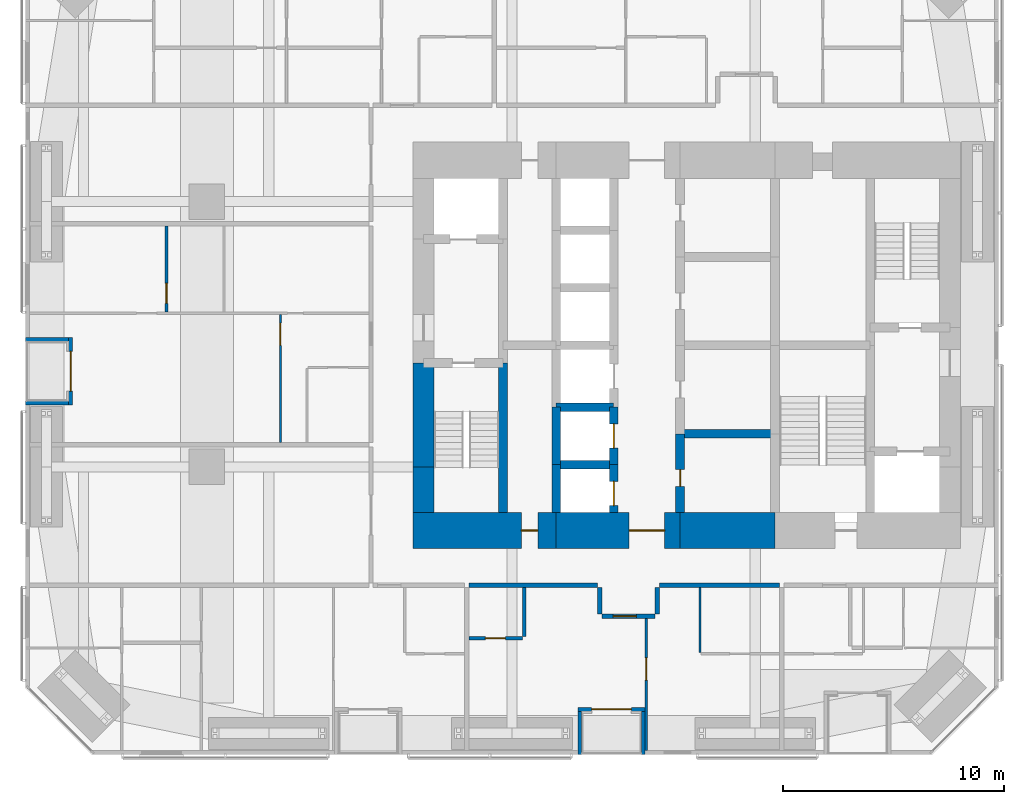
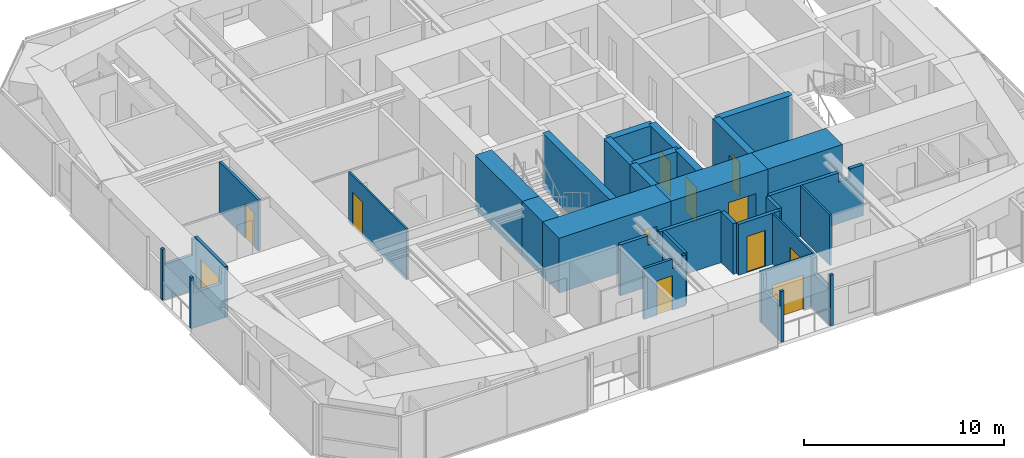
# One storey, part 17 of 23: 31 walls, 12 doors, 12 openings.
"""IFC4 building model written with IfcOpenShell, lengths in metres."""

from ifc_helpers import new_model, si_unit, direction, frame, frame_2d, origin, place, context, subcontext, project, spatial, polyline, rectangle, outline, extrude, material, layer, layer_set, constituent, constituent_set, type_object, element, fill, save


model = new_model("IFC4")

# Units and contexts
model_context = context("Model", 3, precision=1e-05, world=origin(), true_north=direction((0.0, 1.0)))
body_context = subcontext(model_context, "Body", "Model", "MODEL_VIEW")
ifc_project = project(units=[si_unit("LENGTHUNIT", "METRE"), si_unit("AREAUNIT", "SQUARE_METRE"), si_unit("VOLUMEUNIT", "CUBIC_METRE"), si_unit("PLANEANGLEUNIT", "RADIAN"), si_unit("MASSUNIT", "GRAM", prefix="KILO")], contexts=[model_context])

# Site, building, storey
site_placement = place(None, origin())
site = spatial("IfcSite", under=ifc_project, at=site_placement, CompositionType="ELEMENT")
building_placement = place(site_placement, origin())
building = spatial("IfcBuilding", under=site, at=building_placement, Name="Jalousie Tower", CompositionType="ELEMENT")
storey_placement = place(building_placement, frame((0.0, 0.0, 41.10009765625)))
storey = spatial("IfcBuildingStorey", under=building, at=storey_placement, Name="L10", CompositionType="ELEMENT", Elevation=41.10009765625)

# Wall, opening, door
ifc_material_1 = material(Name="Concrete block ASTM C90", Category="concrete")
ifc_constituent_1 = constituent(ifc_material_1, Name="Body")
ifc_material_2 = material(Name="Render")
ifc_constituent_2 = constituent(ifc_material_2, Name="Finish")
ifc_constituent_set_1 = constituent_set(constituents=[ifc_constituent_1, ifc_constituent_2])
wall_type_1 = type_object("IfcWallType", Name="BATHROOM WALL 150", PredefinedType="PLUMBINGWALL", material=ifc_constituent_set_1)
wall_1_placement = place(storey_placement, frame((22.050048828125, 5.25, 0.0), z_axis=(0.0, 0.0, 1.0), x_axis=(1.0, 0.0, 0.0)))
wall_1 = element("IfcWall", 1, at=wall_1_placement, inside=storey, type_object=wall_type_1, Name="Bathroom Wall 150 L10", PredefinedType="PLUMBINGWALL", context=body_context, shape_type="SweptSolid", body=[
    extrude(outline(polyline([(0.0, 0.0), (2.425048828125, 0.0), (2.425048828125, 3.10986328125), (2.262451171875, 3.10986328125), (2.262451171875, 2.541015625), (1.6376953125, 2.541015625), (1.6376953125, 3.10986328125), (0.0, 3.10986328125), (0.0, 0.0)])), frame((0.0, 0.074951171875, 0.0), z_axis=(0.0, -1.0, 0.0), x_axis=(1.0, 0.0, 0.0)), (0.0, 0.0, 1.0), 0.14990234375),
])
opening_1_placement = place(wall_1_placement, frame((0.75, 0.0, 0.0)))
opening_1 = element("IfcOpeningElement", 2, at=opening_1_placement, cuts=wall_1, Name="Opening D3", PredefinedType="OPENING", context=body_context, shape_type="SweptSolid", body=[
    extrude(rectangle(XDim=0.89990234375, YDim=2.10009765625, at=frame_2d((0.449951171875, 1.050048828125))), frame((0.0, 0.0849609375, 0.0), z_axis=(0.0, -1.0, 0.0), x_axis=(1.0, 0.0, 0.0)), (0.0, 0.0, 1.0), 0.169921875),
])
ifc_material_3 = material(Name="Timber door", Category="wood")
door_type_1 = type_object("IfcDoorType", Name="BATHROOM DOOR 900", OperationType="SINGLE_SWING_LEFT", PredefinedType="DOOR", material=ifc_material_3)
door_1_placement = place(opening_1_placement, origin())
door_1 = element("IfcDoor", 3, at=door_1_placement, inside=storey, type_object=door_type_1, Name="Apartment 1002 bathroom door", OperationType="SINGLE_SWING_LEFT", OverallHeight=2.10009765625, OverallWidth=0.89990234375, PredefinedType="DOOR", context=body_context, shape_type="SweptSolid", body=[
    extrude(rectangle(XDim=0.89990234375, YDim=2.10009765625, at=frame_2d((0.449951171875, 1.050048828125))), frame((0.0, 0.02490234375, 0.0), z_axis=(0.0, -1.0, 0.0), x_axis=(1.0, 0.0, 0.0)), (0.0, 0.0, 1.0), 0.050048828125),
])
fill(opening_1, door_1)

# Wall
wall_2_placement = place(storey_placement, frame((24.550048828125, 5.324951171875, 0.0), z_axis=(0.0, 0.0, 1.0), x_axis=(0.0, 1.0, 0.0)))
element("IfcWall", 4, at=wall_2_placement, inside=storey, type_object=wall_type_1, Name="Bathroom Wall 150 L10", PredefinedType="PLUMBINGWALL", context=body_context, shape_type="SweptSolid", body=[
    extrude(rectangle(XDim=2.22509765625, YDim=0.14990234375, at=frame_2d((1.112548828125, 0.0))), origin(), (0.0, 0.0, 1.0), 3.10986328125),
])

# Wall, opening, door
wall_3_placement = place(storey_placement, frame((8.375, 20.0, 0.0), z_axis=(0.0, 0.0, 1.0), x_axis=(0.0, 1.0, 0.0)))
wall_3 = element("IfcWall", 5, at=wall_3_placement, inside=storey, type_object=wall_type_1, Name="Bathroom Wall 150 L10", PredefinedType="PLUMBINGWALL", context=body_context, shape_type="SweptSolid", body=[
    extrude(rectangle(XDim=3.89990234375, YDim=0.14990234375, at=frame_2d((1.949951171875, 0.0))), origin(), (0.0, 0.0, 1.0), 3.10986328125),
])
opening_2_placement = place(wall_3_placement, frame((0.39990234375, 0.0, 0.0)))
opening_2 = element("IfcOpeningElement", 6, at=opening_2_placement, cuts=wall_3, Name="Opening D3", PredefinedType="OPENING", context=body_context, shape_type="SweptSolid", body=[
    extrude(rectangle(XDim=0.89990234375, YDim=2.10009765625, at=frame_2d((0.449951171875, 1.050048828125))), frame((0.0, 0.0849609375, 0.0), z_axis=(0.0, -1.0, 0.0), x_axis=(1.0, 0.0, 0.0)), (0.0, 0.0, 1.0), 0.169921875),
])
door_2_placement = place(opening_2_placement, frame((0.89990234375, 0.0, 0.0), z_axis=(0.0, 0.0, 1.0), x_axis=(-1.0, 0.0, 0.0)))
door_2 = element("IfcDoor", 7, at=door_2_placement, inside=storey, type_object=door_type_1, Name="Apartment 1006 bedroom 1 bathroom door", OperationType="SINGLE_SWING_RIGHT", OverallHeight=2.10009765625, OverallWidth=0.89990234375, PredefinedType="DOOR", context=body_context, shape_type="SweptSolid", body=[
    extrude(rectangle(XDim=0.89990234375, YDim=2.10009765625, at=frame_2d((0.449951171875, 1.050048828125))), frame((0.0, 0.02490234375, 0.0), z_axis=(0.0, -1.0, 0.0), x_axis=(1.0, 0.0, 0.0)), (0.0, 0.0, 1.0), 0.050048828125),
])
fill(opening_2, door_2)

ifc_material_4 = material(Name="Concrete f'c 120 MPa", Category="concrete")
ifc_layer_1 = layer(ifc_material_4, 1.64990234375)
ifc_layer_set_1 = layer_set([ifc_layer_1], Name="Concrete f'c 120 MPa")
wall_type_2 = type_object("IfcWallType", Name="CORE WALL 1650", PredefinedType="SHEAR", material=ifc_layer_set_1)
wall_4_placement = place(storey_placement, frame((19.52490234375, 10.125, 0.0), z_axis=(0.0, 0.0, 1.0), x_axis=(1.0, 0.0, 0.0)))
wall_4 = element("IfcWall", 8, at=wall_4_placement, inside=storey, type_object=wall_type_2, Name="Core wall SA L10", PredefinedType="SHEAR", context=body_context, shape_type="SweptSolid", body=[
    extrude(rectangle(XDim=6.47509765625, YDim=1.64990234375, at=frame_2d((3.237548828125, 0.0))), origin(), (0.0, 0.0, 1.0), 3.349853515625),
])
opening_3_placement = place(wall_4_placement, frame((4.89990234375, 0.0, 0.0)))
opening_3 = element("IfcOpeningElement", 9, at=opening_3_placement, cuts=wall_4, Name="Opening D16", PredefinedType="OPENING", context=body_context, shape_type="SweptSolid", body=[
    extrude(rectangle(XDim=0.75, YDim=2.10009765625, at=frame_2d((0.375, 1.050048828125))), frame((0.0, 0.8349609375, 0.0), z_axis=(0.0, -1.0, 0.0), x_axis=(1.0, 0.0, 0.0)), (0.0, 0.0, 1.0), 1.669921875),
])
ifc_material_5 = material(Name="Steel fire door", Category="steel")
door_type_2 = type_object("IfcDoorType", Name="RISER DOOR 750", OperationType="SINGLE_SWING_LEFT", PredefinedType="DOOR", material=ifc_material_5)
door_3_placement = place(opening_3_placement, origin())
door_3 = element("IfcDoor", 10, at=door_3_placement, inside=storey, type_object=door_type_2, Name="South riser door", OperationType="SINGLE_SWING_LEFT", OverallHeight=2.10009765625, OverallWidth=0.75, PredefinedType="DOOR", context=body_context, shape_type="SweptSolid", body=[
    extrude(rectangle(XDim=0.75, YDim=2.10009765625, at=frame_2d((0.375, 1.050048828125))), frame((0.0, 0.02490234375, 0.0), z_axis=(0.0, -1.0, 0.0), x_axis=(1.0, 0.0, 0.0)), (0.0, 0.0, 1.0), 0.050048828125),
])
fill(opening_3, door_3)

wall_5_placement = place(storey_placement, frame((26.0, 10.125, 0.0), z_axis=(0.0, 0.0, 1.0), x_axis=(1.0, 0.0, 0.0)))
wall_5 = element("IfcWall", 11, at=wall_5_placement, inside=storey, type_object=wall_type_2, Name="Core wall SB L10", PredefinedType="SHEAR", context=body_context, shape_type="SweptSolid", body=[
    extrude(rectangle(XDim=5.60009765625, YDim=1.64990234375, at=frame_2d((2.800048828125, 0.0))), origin(), (0.0, 0.0, 1.0), 3.349853515625),
])
opening_4_placement = place(wall_5_placement, frame((3.300048828125, 0.0, 0.0)))
opening_4 = element("IfcOpeningElement", 12, at=opening_4_placement, cuts=wall_5, Name="Opening D15", PredefinedType="OPENING", context=body_context, shape_type="SweptSolid", body=[
    extrude(rectangle(XDim=1.60009765625, YDim=2.10009765625, at=frame_2d((0.800048828125, 1.050048828125))), frame((0.0, 0.8349609375, 0.0), z_axis=(0.0, -1.0, 0.0), x_axis=(1.0, 0.0, 0.0)), (0.0, 0.0, 1.0), 1.669921875),
])
ifc_material_6 = material(Name="Steel fire door", Category="steel")
door_type_3 = type_object("IfcDoorType", Name="LIFT LOBBY DOOR 1600", OperationType="DOUBLE_DOOR_SINGLE_SWING", PredefinedType="DOOR", material=ifc_material_6)
door_4_placement = place(opening_4_placement, origin())
door_4 = element("IfcDoor", 13, at=door_4_placement, inside=storey, type_object=door_type_3, Name="Lift lobby south door", OperationType="DOUBLE_DOOR_SINGLE_SWING", OverallHeight=2.10009765625, OverallWidth=1.60009765625, PredefinedType="DOOR", context=body_context, shape_type="SweptSolid", body=[
    extrude(rectangle(XDim=1.60009765625, YDim=2.10009765625, at=frame_2d((0.800048828125, 1.050048828125))), frame((0.0, 0.02490234375, 0.0), z_axis=(0.0, -1.0, 0.0), x_axis=(1.0, 0.0, 0.0)), (0.0, 0.0, 1.0), 0.050048828125),
])
fill(opening_4, door_4)

# Walls
wall_6_placement = place(storey_placement, frame((31.60009765625, 10.125, 0.0), z_axis=(0.0, 0.0, 1.0), x_axis=(1.0, 0.0, 0.0)))
element("IfcWall", 14, at=wall_6_placement, inside=storey, type_object=wall_type_2, Name="Core wall SC L10", PredefinedType="SHEAR", context=body_context, shape_type="SweptSolid", body=[
    extrude(rectangle(XDim=4.2998046875, YDim=1.64990234375, at=frame_2d((2.14990234375, 0.0))), origin(), (0.0, 0.0, 1.0), 3.349853515625),
])
ifc_material_7 = material(Name="Concrete f'c 120 MPa", Category="concrete")
ifc_layer_2 = layer(ifc_material_7, 0.39990234375)
ifc_layer_set_2 = layer_set([ifc_layer_2], Name="Concrete f'c 120 MPa")
wall_type_3 = type_object("IfcWallType", Name="CORE WALL 400", PredefinedType="SHEAR", material=ifc_layer_set_2)
wall_7_placement = place(storey_placement, frame((23.60009765625, 10.949951171875, 0.0), z_axis=(0.0, 0.0, 1.0), x_axis=(0.0, 1.0, 0.0)))
element("IfcWall", 15, at=wall_7_placement, inside=storey, type_object=wall_type_3, Name="Core wall X23.6A L10", PredefinedType="SHEAR", context=body_context, shape_type="SweptSolid", body=[
    extrude(rectangle(XDim=6.75, YDim=0.39990234375, at=frame_2d((3.375, 0.0))), origin(), (0.0, 0.0, 1.0), 3.349853515625),
])
wall_8_placement = place(storey_placement, frame((26.0, 10.949951171875, 0.0), z_axis=(0.0, 0.0, 1.0), x_axis=(0.0, 1.0, 0.0)))
element("IfcWall", 16, at=wall_8_placement, inside=storey, type_object=wall_type_3, Name="Core wall X26A L10", PredefinedType="SHEAR", context=body_context, shape_type="SweptSolid", body=[
    extrude(rectangle(XDim=2.150146484375, YDim=0.39990234375, at=frame_2d((1.0751953125, 0.0))), origin(), (0.0, 0.0, 1.0), 3.349853515625),
])
wall_9_placement = place(storey_placement, frame((26.0, 13.10009765625, 0.0), z_axis=(0.0, 0.0, 1.0), x_axis=(0.0, 1.0, 0.0)))
element("IfcWall", 17, at=wall_9_placement, inside=storey, type_object=wall_type_3, Name="Core wall X26B L10", PredefinedType="SHEAR", context=body_context, shape_type="SweptSolid", body=[
    extrude(rectangle(XDim=2.599853515625, YDim=0.39990234375, at=frame_2d((1.2998046875, 0.0))), origin(), (0.0, 0.0, 1.0), 3.349853515625),
])

# Wall, opening, door
wall_10_placement = place(storey_placement, frame((28.60009765625, 10.949951171875, 0.0), z_axis=(0.0, 0.0, 1.0), x_axis=(0.0, 1.0, 0.0)))
wall_10 = element("IfcWall", 18, at=wall_10_placement, inside=storey, type_object=wall_type_3, Name="Core wall X28.6A L10", PredefinedType="SHEAR", context=body_context, shape_type="SweptSolid", body=[
    extrude(rectangle(XDim=2.150146484375, YDim=0.39990234375, at=frame_2d((1.0751953125, 0.0))), origin(), (0.0, 0.0, 1.0), 3.349853515625),
])
opening_5_placement = place(wall_10_placement, frame((0.300048828125, 0.0, 0.0)))
opening_5 = element("IfcOpeningElement", 19, at=opening_5_placement, cuts=wall_10, Name="Opening LD1", PredefinedType="OPENING", context=body_context, shape_type="SweptSolid", body=[
    extrude(rectangle(XDim=1.10009765625, YDim=2.10009765625, at=frame_2d((0.550048828125, 1.050048828125))), frame((0.0, 0.2099609375, 0.0), z_axis=(0.0, -1.0, 0.0), x_axis=(1.0, 0.0, 0.0)), (0.0, 0.0, 1.0), 0.419921875),
])
ifc_material_8 = material(Name="Steel lift landing door", Category="steel")
door_type_4 = type_object("IfcDoorType", Name="LIFT LANDING DOOR 1100", OperationType="SLIDING_TO_LEFT", PredefinedType="DOOR", material=ifc_material_8)
door_5_placement = place(opening_5_placement, origin())
door_5 = element("IfcDoor", 20, at=door_5_placement, inside=storey, type_object=door_type_4, Name="Lift P1 landing door", OperationType="SLIDING_TO_LEFT", OverallHeight=2.10009765625, OverallWidth=1.10009765625, PredefinedType="DOOR", context=body_context, shape_type="SweptSolid", body=[
    extrude(rectangle(XDim=1.10009765625, YDim=2.10009765625, at=frame_2d((0.550048828125, 1.050048828125))), frame((0.0, 0.02490234375, 0.0), z_axis=(0.0, -1.0, 0.0), x_axis=(1.0, 0.0, 0.0)), (0.0, 0.0, 1.0), 0.050048828125),
])
fill(opening_5, door_5)

wall_11_placement = place(storey_placement, frame((28.60009765625, 13.10009765625, 0.0), z_axis=(0.0, 0.0, 1.0), x_axis=(0.0, 1.0, 0.0)))
wall_11 = element("IfcWall", 21, at=wall_11_placement, inside=storey, type_object=wall_type_3, Name="Core wall X28.6B L10", PredefinedType="SHEAR", context=body_context, shape_type="SweptSolid", body=[
    extrude(rectangle(XDim=2.599853515625, YDim=0.39990234375, at=frame_2d((1.2998046875, 0.0))), origin(), (0.0, 0.0, 1.0), 3.349853515625),
])
opening_6_placement = place(wall_11_placement, frame((0.75, 0.0, 0.0)))
opening_6 = element("IfcOpeningElement", 22, at=opening_6_placement, cuts=wall_11, Name="Opening LD1", PredefinedType="OPENING", context=body_context, shape_type="SweptSolid", body=[
    extrude(rectangle(XDim=1.10009765625, YDim=2.10009765625, at=frame_2d((0.550048828125, 1.050048828125))), frame((0.0, 0.2099609375, 0.0), z_axis=(0.0, -1.0, 0.0), x_axis=(1.0, 0.0, 0.0)), (0.0, 0.0, 1.0), 0.419921875),
])
door_6_placement = place(opening_6_placement, origin())
door_6 = element("IfcDoor", 23, at=door_6_placement, inside=storey, type_object=door_type_4, Name="Lift P2 landing door", OperationType="SLIDING_TO_LEFT", OverallHeight=2.10009765625, OverallWidth=1.10009765625, PredefinedType="DOOR", context=body_context, shape_type="SweptSolid", body=[
    extrude(rectangle(XDim=1.10009765625, YDim=2.10009765625, at=frame_2d((0.550048828125, 1.050048828125))), frame((0.0, 0.02490234375, 0.0), z_axis=(0.0, -1.0, 0.0), x_axis=(1.0, 0.0, 0.0)), (0.0, 0.0, 1.0), 0.050048828125),
])
fill(opening_6, door_6)

wall_12_placement = place(storey_placement, frame((31.60009765625, 10.949951171875, 0.0), z_axis=(0.0, 0.0, 1.0), x_axis=(0.0, 1.0, 0.0)))
wall_12 = element("IfcWall", 24, at=wall_12_placement, inside=storey, type_object=wall_type_3, Name="Core wall X31.6A L10", PredefinedType="SHEAR", context=body_context, shape_type="SweptSolid", body=[
    extrude(rectangle(XDim=3.550048828125, YDim=0.39990234375, at=frame_2d((1.77490234375, 0.0))), origin(), (0.0, 0.0, 1.0), 3.349853515625),
])
opening_7_placement = place(wall_12_placement, frame((1.175048828125, 0.0, 0.0)))
opening_7 = element("IfcOpeningElement", 25, at=opening_7_placement, cuts=wall_12, Name="Opening D16", PredefinedType="OPENING", context=body_context, shape_type="SweptSolid", body=[
    extrude(rectangle(XDim=0.75, YDim=2.10009765625, at=frame_2d((0.375, 1.050048828125))), frame((0.0, 0.2099609375, 0.0), z_axis=(0.0, -1.0, 0.0), x_axis=(1.0, 0.0, 0.0)), (0.0, 0.0, 1.0), 0.419921875),
])
door_7_placement = place(opening_7_placement, frame((0.75, 0.0, 0.0), z_axis=(0.0, 0.0, 1.0), x_axis=(-1.0, 0.0, 0.0)))
door_7 = element("IfcDoor", 26, at=door_7_placement, inside=storey, type_object=door_type_2, Name="Refuse Room door", OperationType="SINGLE_SWING_RIGHT", OverallHeight=2.10009765625, OverallWidth=0.75, PredefinedType="DOOR", context=body_context, shape_type="SweptSolid", body=[
    extrude(rectangle(XDim=0.75, YDim=2.10009765625, at=frame_2d((0.375, 1.050048828125))), frame((0.0, 0.02490234375, 0.0), z_axis=(0.0, -1.0, 0.0), x_axis=(1.0, 0.0, 0.0)), (0.0, 0.0, 1.0), 0.050048828125),
])
fill(opening_7, door_7)

# Walls
for number, where, z_axis, x_axis, name in (
    (27, (26.0, 13.10009765625, 0.0), (0.0, 0.0, 1.0), (1.0, 0.0, 0.0), "Core wall Y26-13.1 L10"),
    (28, (26.0, 15.699951171875, 0.0), (0.0, 0.0, 1.0), (1.0, 0.0, 0.0), "Core wall Y26-15.7 L10"),
):
    element("IfcWall", number, at=place(storey_placement, frame(where, z_axis=z_axis, x_axis=x_axis)), inside=storey, type_object=wall_type_3, Name=name, PredefinedType="SHEAR", context=body_context, shape_type="SweptSolid", body=[
        extrude(rectangle(XDim=2.60009765625, YDim=0.39990234375, at=frame_2d((1.300048828125, 0.0))), origin(), (0.0, 0.0, 1.0), 3.349853515625),
    ])
wall_13_placement = place(storey_placement, frame((31.60009765625, 14.5, 0.0), z_axis=(0.0, 0.0, 1.0), x_axis=(1.0, 0.0, 0.0)))
element("IfcWall", 29, at=wall_13_placement, inside=storey, type_object=wall_type_3, Name="Core wall Y31.6-14.5 L10", PredefinedType="SHEAR", context=body_context, shape_type="SweptSolid", body=[
    extrude(rectangle(XDim=4.2998046875, YDim=0.39990234375, at=frame_2d((2.14990234375, 0.0))), origin(), (0.0, 0.0, 1.0), 3.349853515625),
])
ifc_material_9 = material(Name="Concrete f'c 120 MPa", Category="concrete")
ifc_layer_3 = layer(ifc_material_9, 0.949951171875)
ifc_layer_set_3 = layer_set([ifc_layer_3], Name="Concrete f'c 120 MPa")
wall_type_4 = type_object("IfcWallType", Name="CORE WALL 950", PredefinedType="SHEAR", material=ifc_layer_set_3)
wall_14_placement = place(storey_placement, frame((20.0, 17.699951171875, 0.0), z_axis=(0.0, 0.0, 1.0), x_axis=(0.0, -1.0, 0.0)))
element("IfcWall", 30, at=wall_14_placement, inside=storey, type_object=wall_type_4, Name="Core wall WC L10", PredefinedType="SHEAR", context=body_context, shape_type="SweptSolid", body=[
    extrude(rectangle(XDim=4.699951171875, YDim=0.949951171875, at=frame_2d((2.35009765625, 0.0))), origin(), (0.0, 0.0, 1.0), 3.349853515625),
])
wall_15_placement = place(storey_placement, frame((20.0, 13.0, 0.0), z_axis=(0.0, 0.0, 1.0), x_axis=(0.0, -1.0, 0.0)))
element("IfcWall", 31, at=wall_15_placement, inside=storey, type_object=wall_type_4, Name="Core wall WD L10", PredefinedType="SHEAR", context=body_context, shape_type="SweptSolid", body=[
    extrude(rectangle(XDim=2.050048828125, YDim=0.949951171875, at=frame_2d((1.02490234375, 0.0))), origin(), (0.0, 0.0, 1.0), 3.349853515625),
])
ifc_material_10 = material(Name="Concrete block ASTM C90", Category="concrete")
ifc_constituent_3 = constituent(ifc_material_10, Name="Body")
ifc_material_11 = material(Name="Render")
ifc_constituent_4 = constituent(ifc_material_11, Name="Finish")
ifc_constituent_set_2 = constituent_set(constituents=[ifc_constituent_3, ifc_constituent_4])
wall_type_5 = type_object("IfcWallType", Name="CORRIDOR WALL 200", PredefinedType="PARTITIONING", material=ifc_constituent_set_2)
wall_16_placement = place(storey_placement, frame((22.050048828125, 7.64990234375, 0.0), z_axis=(0.0, 0.0, 1.0), x_axis=(1.0, 0.0, 0.0)))
element("IfcWall", 32, at=wall_16_placement, inside=storey, type_object=wall_type_5, Name="Corridor Wall 200 L10", PredefinedType="PARTITIONING", context=body_context, shape_type="SweptSolid", body=[
    extrude(outline(polyline([(0.0, 0.0), (5.824951171875, 0.0), (5.824951171875, 3.10986328125), (2.287353515625, 3.10986328125), (2.287353515625, 2.541015625), (1.612548828125, 2.541015625), (1.612548828125, 3.10986328125), (0.0, 3.10986328125), (0.0, 0.0)])), frame((0.0, 0.10009765625, 0.0), z_axis=(0.0, -1.0, 0.0), x_axis=(1.0, 0.0, 0.0)), (0.0, 0.0, 1.0), 0.199951171875),
])
wall_17_placement = place(storey_placement, frame((30.675048828125, 7.64990234375, 0.0), z_axis=(0.0, 0.0, 1.0), x_axis=(1.0, 0.0, 0.0)))
element("IfcWall", 33, at=wall_17_placement, inside=storey, type_object=wall_type_5, Name="Corridor Wall 200 L10", PredefinedType="PARTITIONING", context=body_context, shape_type="SweptSolid", body=[
    extrude(outline(polyline([(0.0, 0.0), (5.425048828125, 0.0), (5.425048828125, 3.10986328125), (4.662353515625, 3.10986328125), (4.662353515625, 2.541015625), (3.987548828125, 2.541015625), (3.987548828125, 3.10986328125), (0.0, 3.10986328125), (0.0, 0.0)])), frame((0.0, 0.10009765625, 0.0), z_axis=(0.0, -1.0, 0.0), x_axis=(1.0, 0.0, 0.0)), (0.0, 0.0, 1.0), 0.199951171875),
])

# Wall, opening, door
wall_18_placement = place(storey_placement, frame((28.074951171875, 6.25, 0.0), z_axis=(0.0, 0.0, 1.0), x_axis=(1.0, 0.0, 0.0)))
wall_18 = element("IfcWall", 34, at=wall_18_placement, inside=storey, type_object=wall_type_5, Name="Corridor Wall 200 L10", PredefinedType="PARTITIONING", context=body_context, shape_type="SweptSolid", body=[
    extrude(rectangle(XDim=2.400146484375, YDim=0.199951171875, at=frame_2d((1.2001953125, 0.0))), origin(), (0.0, 0.0, 1.0), 3.10986328125),
])
opening_8_placement = place(wall_18_placement, frame((0.5, 0.0, 0.0)))
opening_8 = element("IfcOpeningElement", 35, at=opening_8_placement, cuts=wall_18, Name="Opening D1", PredefinedType="OPENING", context=body_context, shape_type="SweptSolid", body=[
    extrude(rectangle(XDim=1.050048828125, YDim=2.199951171875, at=frame_2d((0.52490234375, 1.10009765625))), frame((0.0, 0.10986328125, 0.0), z_axis=(0.0, -1.0, 0.0), x_axis=(1.0, 0.0, 0.0)), (0.0, 0.0, 1.0), 0.219970703125),
])
ifc_material_12 = material(Name="Timber fire door", Category="wood")
door_type_5 = type_object("IfcDoorType", Name="APARTMENT ENTRANCE DOOR 1050", OperationType="SINGLE_SWING_LEFT", PredefinedType="DOOR", material=ifc_material_12)
door_8_placement = place(opening_8_placement, frame((1.050048828125, 0.0, 0.0), z_axis=(0.0, 0.0, 1.0), x_axis=(-1.0, 0.0, 0.0)))
door_8 = element("IfcDoor", 36, at=door_8_placement, inside=storey, type_object=door_type_5, Name="Apartment 1002 entrance", OperationType="SINGLE_SWING_LEFT", OverallHeight=2.199951171875, OverallWidth=1.050048828125, PredefinedType="DOOR", context=body_context, shape_type="SweptSolid", body=[
    extrude(rectangle(XDim=1.050048828125, YDim=2.199951171875, at=frame_2d((0.52490234375, 1.10009765625))), frame((0.0, 0.02490234375, 0.0), z_axis=(0.0, -1.0, 0.0), x_axis=(1.0, 0.0, 0.0)), (0.0, 0.0, 1.0), 0.050048828125),
])
fill(opening_8, door_8)

# Walls
for number, where, z_axis, x_axis, name in (
    (37, (27.97509765625, 7.550048828125, 0.0), (0.0, 0.0, 1.0), (0.0, -1.0, 0.0), "Corridor Wall 200 L10"),
    (38, (30.574951171875, 7.550048828125, 0.0), (0.0, 0.0, 1.0), (0.0, -1.0, 0.0), "Corridor Wall 200 L10"),
):
    element("IfcWall", number, at=place(storey_placement, frame(where, z_axis=z_axis, x_axis=x_axis)), inside=storey, type_object=wall_type_5, Name=name, PredefinedType="PARTITIONING", context=body_context, shape_type="SweptSolid", body=[
        extrude(rectangle(XDim=1.199951171875, YDim=0.199951171875, at=frame_2d((0.60009765625, 0.0))), origin(), (0.0, 0.0, 1.0), 3.10986328125),
    ])

# Wall, opening, door
ifc_material_13 = material(Name="Concrete f'c 40 MPa", Category="concrete")
ifc_constituent_5 = constituent(ifc_material_13, Name="Body")
ifc_material_14 = material(Name="Render, pastel coral")
ifc_constituent_6 = constituent(ifc_material_14, Name="Finish")
ifc_constituent_set_3 = constituent_set(constituents=[ifc_constituent_5, ifc_constituent_6])
wall_type_6 = type_object("IfcWallType", Name="EXTERNAL WALL 175 CORAL RENDER", PredefinedType="SOLIDWALL", material=ifc_constituent_set_3)
wall_19_placement = place(storey_placement, frame((26.97509765625, 2.03759765625, 0.0), z_axis=(0.0, 0.0, 1.0), x_axis=(1.0, 0.0, 0.0)))
wall_19 = element("IfcWall", 39, at=wall_19_placement, inside=storey, type_object=wall_type_6, Name="External Wall 175 Coral Render L10", PredefinedType="SOLIDWALL", context=body_context, shape_type="SweptSolid", body=[
    extrude(rectangle(XDim=3.0498046875, YDim=0.175048828125, at=frame_2d((1.52490234375, 0.0))), origin(), (0.0, 0.0, 1.0), 3.10986328125),
])
opening_9_placement = place(wall_19_placement, frame((0.625, 0.0, 0.0)))
opening_9 = element("IfcOpeningElement", 40, at=opening_9_placement, cuts=wall_19, Name="Opening D-BAL21", PredefinedType="OPENING", context=body_context, shape_type="SweptSolid", body=[
    extrude(rectangle(XDim=1.800048828125, YDim=2.10009765625, at=frame_2d((0.89990234375, 1.050048828125))), frame((0.0, 0.097412109375, 0.0), z_axis=(0.0, -1.0, 0.0), x_axis=(1.0, 0.0, 0.0)), (0.0, 0.0, 1.0), 0.195068359375),
])
ifc_material_15 = material(Name="Aluminium frame, impact-rated glazing", Category="aluminium")
door_type_6 = type_object("IfcDoorType", Name="BALCONY DOOR 1800x2100", OperationType="SLIDING_TO_LEFT", PredefinedType="DOOR", material=ifc_material_15)
door_9_placement = place(opening_9_placement, origin())
door_9 = element("IfcDoor", 41, at=door_9_placement, inside=storey, type_object=door_type_6, Name="Apartment 1002 studio living and sleeping room loggia door", OperationType="SLIDING_TO_LEFT", OverallHeight=2.10009765625, OverallWidth=1.800048828125, PredefinedType="DOOR", context=body_context, shape_type="SweptSolid", body=[
    extrude(rectangle(XDim=1.800048828125, YDim=2.10009765625, at=frame_2d((0.89990234375, 1.050048828125))), frame((0.0, 0.02490234375, 0.0), z_axis=(0.0, -1.0, 0.0), x_axis=(1.0, 0.0, 0.0)), (0.0, 0.0, 1.0), 0.050048828125),
])
fill(opening_9, door_9)

# Walls
for number, where, z_axis, x_axis, name in (
    (42, (27.0625, 0.0, 0.0), (0.0, 0.0, 1.0), (0.0, 1.0, 0.0), "External Wall 175 Coral Render L10"),
    (43, (29.9375, 0.0, 0.0), (0.0, 0.0, 1.0), (0.0, 1.0, 0.0), "External Wall 175 Coral Render L10"),
):
    element("IfcWall", number, at=place(storey_placement, frame(where, z_axis=z_axis, x_axis=x_axis)), inside=storey, type_object=wall_type_6, Name=name, PredefinedType="SOLIDWALL", context=body_context, shape_type="SweptSolid", body=[
        extrude(outline(polyline([(0.0, 0.0), (1.949951171875, 0.0), (1.949951171875, 3.10986328125), (1.75, 3.10986328125), (1.75, 2.14990234375), (0.14990234375, 2.14990234375), (0.14990234375, 3.10986328125), (0.0, 3.10986328125), (0.0, 0.0)])), frame((0.0, 0.08740234375, 0.0), z_axis=(0.0, -1.0, 0.0), x_axis=(1.0, 0.0, 0.0)), (0.0, 0.0, 1.0), 0.175048828125),
    ])

# Wall, opening, door
wall_20_placement = place(storey_placement, frame((4.03759765625, 18.85009765625, 0.0), z_axis=(0.0, 0.0, 1.0), x_axis=(0.0, -1.0, 0.0)))
wall_20 = element("IfcWall", 44, at=wall_20_placement, inside=storey, type_object=wall_type_6, Name="External Wall 175 Coral Render L10", PredefinedType="SOLIDWALL", context=body_context, shape_type="SweptSolid", body=[
    extrude(rectangle(XDim=3.050048828125, YDim=0.175048828125, at=frame_2d((1.52490234375, 0.0))), origin(), (0.0, 0.0, 1.0), 3.10986328125),
])
opening_10_placement = place(wall_20_placement, frame((0.625, 0.0, 0.0)))
opening_10 = element("IfcOpeningElement", 45, at=opening_10_placement, cuts=wall_20, Name="Opening D-BAL21", PredefinedType="OPENING", context=body_context, shape_type="SweptSolid", body=[
    extrude(rectangle(XDim=1.800048828125, YDim=2.10009765625, at=frame_2d((0.89990234375, 1.050048828125))), frame((0.0, 0.097412109375, 0.0), z_axis=(0.0, -1.0, 0.0), x_axis=(1.0, 0.0, 0.0)), (0.0, 0.0, 1.0), 0.195068359375),
])
door_10_placement = place(opening_10_placement, origin())
door_10 = element("IfcDoor", 46, at=door_10_placement, inside=storey, type_object=door_type_6, Name="Apartment 1006 living room loggia door", OperationType="SLIDING_TO_LEFT", OverallHeight=2.10009765625, OverallWidth=1.800048828125, PredefinedType="DOOR", context=body_context, shape_type="SweptSolid", body=[
    extrude(rectangle(XDim=1.800048828125, YDim=2.10009765625, at=frame_2d((0.89990234375, 1.050048828125))), frame((0.0, 0.02490234375, 0.0), z_axis=(0.0, -1.0, 0.0), x_axis=(1.0, 0.0, 0.0)), (0.0, 0.0, 1.0), 0.050048828125),
])
fill(opening_10, door_10)

# Walls
for number, where, z_axis, x_axis, name in (
    (47, (2.0, 18.762451171875, 0.0), (0.0, 0.0, 1.0), (1.0, 0.0, 0.0), "External Wall 175 Coral Render L10"),
    (48, (2.0, 15.887451171875, 0.0), (0.0, 0.0, 1.0), (1.0, 0.0, 0.0), "External Wall 175 Coral Render L10"),
):
    element("IfcWall", number, at=place(storey_placement, frame(where, z_axis=z_axis, x_axis=x_axis)), inside=storey, type_object=wall_type_6, Name=name, PredefinedType="SOLIDWALL", context=body_context, shape_type="SweptSolid", body=[
        extrude(outline(polyline([(0.0, 0.0), (1.949951171875, 0.0), (1.949951171875, 3.10986328125), (1.75, 3.10986328125), (1.75, 2.14990234375), (0.14990234375, 2.14990234375), (0.14990234375, 3.10986328125), (0.0, 3.10986328125), (0.0, 0.0)])), frame((0.0, 0.08740234375, 0.0), z_axis=(0.0, -1.0, 0.0), x_axis=(1.0, 0.0, 0.0)), (0.0, 0.0, 1.0), 0.175048828125),
    ])
ifc_material_16 = material(Name="Gypsum board", Category="gypsum")
ifc_constituent_7 = constituent(ifc_material_16, Name="Body")
ifc_material_17 = material(Name="Light-gauge steel studs ASTM A653 SS Grade 33", Category="steel")
ifc_constituent_8 = constituent(ifc_material_17, Name="Framing")
ifc_constituent_set_4 = constituent_set(constituents=[ifc_constituent_7, ifc_constituent_8])
wall_type_7 = type_object("IfcWallType", Name="PARTITION 100", PredefinedType="PARTITIONING", material=ifc_constituent_set_4)
wall_21_placement = place(storey_placement, frame((32.5, 4.60009765625, 0.0), z_axis=(0.0, 0.0, 1.0), x_axis=(0.0, 1.0, 0.0)))
element("IfcWall", 49, at=wall_21_placement, inside=storey, type_object=wall_type_7, Name="Partition 100 L10", PredefinedType="PARTITIONING", context=body_context, shape_type="SweptSolid", body=[
    extrude(rectangle(XDim=2.949951171875, YDim=0.10009765625, at=frame_2d((1.47509765625, 0.0))), origin(), (0.0, 0.0, 1.0), 3.10986328125),
])

# Wall, opening, door
wall_22_placement = place(storey_placement, frame((30.074951171875, 0.175048828125, 0.0), z_axis=(0.0, 0.0, 1.0), x_axis=(0.0, 1.0, 0.0)))
wall_22 = element("IfcWall", 50, at=wall_22_placement, inside=storey, type_object=wall_type_7, Name="Partition 100 L10", PredefinedType="PARTITIONING", context=body_context, shape_type="SweptSolid", body=[
    extrude(outline(polyline([(0.0, 0.0), (5.974853515625, 0.0), (5.97509765625, 3.10986328125), (1.635009765625, 3.10986328125), (1.635009765625, 2.14990234375), (0.0, 2.14990234375), (0.0, 3.10986328125), (0.0, 0.0)])), frame((0.0, 0.050048828125, 0.0), z_axis=(0.0, -1.0, 0.0), x_axis=(1.0, 0.0, 0.0)), (0.0, 0.0, 1.0), 0.10009765625),
])
opening_11_placement = place(wall_22_placement, frame((3.1875, 0.0, 0.0)))
opening_11 = element("IfcOpeningElement", 51, at=opening_11_placement, cuts=wall_22, Name="Opening D6", PredefinedType="OPENING", context=body_context, shape_type="SweptSolid", body=[
    extrude(rectangle(XDim=1.0, YDim=2.10009765625, at=frame_2d((0.5, 1.050048828125))), frame((0.0, 0.06005859375, 0.0), z_axis=(0.0, -1.0, 0.0), x_axis=(1.0, 0.0, 0.0)), (0.0, 0.0, 1.0), 0.1201171875),
])
ifc_material_18 = material(Name="Timber door", Category="wood")
door_type_7 = type_object("IfcDoorType", Name="INTERNAL DOOR 1000", OperationType="SINGLE_SWING_LEFT", PredefinedType="DOOR", material=ifc_material_18)
door_11_placement = place(opening_11_placement, frame((1.0, 0.0, 0.0), z_axis=(0.0, 0.0, 1.0), x_axis=(-1.0, 0.0, 0.0)))
door_11 = element("IfcDoor", 52, at=door_11_placement, inside=storey, type_object=door_type_7, Name="Apartment 1002 dining room door", OperationType="SINGLE_SWING_LEFT", OverallHeight=2.10009765625, OverallWidth=1.0, PredefinedType="DOOR", context=body_context, shape_type="SweptSolid", body=[
    extrude(rectangle(XDim=1.0, YDim=2.10009765625, at=frame_2d((0.5, 1.050048828125))), frame((0.0, 0.02490234375, 0.0), z_axis=(0.0, -1.0, 0.0), x_axis=(1.0, 0.0, 0.0)), (0.0, 0.0, 1.0), 0.050048828125),
])
fill(opening_11, door_11)

wall_23_placement = place(storey_placement, frame((13.52490234375, 14.10009765625, 0.0), z_axis=(0.0, 0.0, 1.0), x_axis=(0.0, 1.0, 0.0)))
wall_23 = element("IfcWall", 53, at=wall_23_placement, inside=storey, type_object=wall_type_7, Name="Partition 100 L10", PredefinedType="PARTITIONING", context=body_context, shape_type="SweptSolid", body=[
    extrude(rectangle(XDim=5.7998046875, YDim=0.10009765625, at=frame_2d((2.89990234375, 0.0))), origin(), (0.0, 0.0, 1.0), 3.10986328125),
])
opening_12_placement = place(wall_23_placement, frame((4.39990234375, 0.0, 0.0)))
opening_12 = element("IfcOpeningElement", 54, at=opening_12_placement, cuts=wall_23, Name="Opening D6", PredefinedType="OPENING", context=body_context, shape_type="SweptSolid", body=[
    extrude(rectangle(XDim=1.0, YDim=2.10009765625, at=frame_2d((0.5, 1.050048828125))), frame((0.0, 0.06005859375, 0.0), z_axis=(0.0, -1.0, 0.0), x_axis=(1.0, 0.0, 0.0)), (0.0, 0.0, 1.0), 0.1201171875),
])
door_12_placement = place(opening_12_placement, origin())
door_12 = element("IfcDoor", 55, at=door_12_placement, inside=storey, type_object=door_type_7, Name="Apartment 1006 living room door", OperationType="SINGLE_SWING_RIGHT", OverallHeight=2.10009765625, OverallWidth=1.0, PredefinedType="DOOR", context=body_context, shape_type="SweptSolid", body=[
    extrude(rectangle(XDim=1.0, YDim=2.10009765625, at=frame_2d((0.5, 1.050048828125))), frame((0.0, 0.02490234375, 0.0), z_axis=(0.0, -1.0, 0.0), x_axis=(1.0, 0.0, 0.0)), (0.0, 0.0, 1.0), 0.050048828125),
])
fill(opening_12, door_12)

save(model, "model.ifc")
